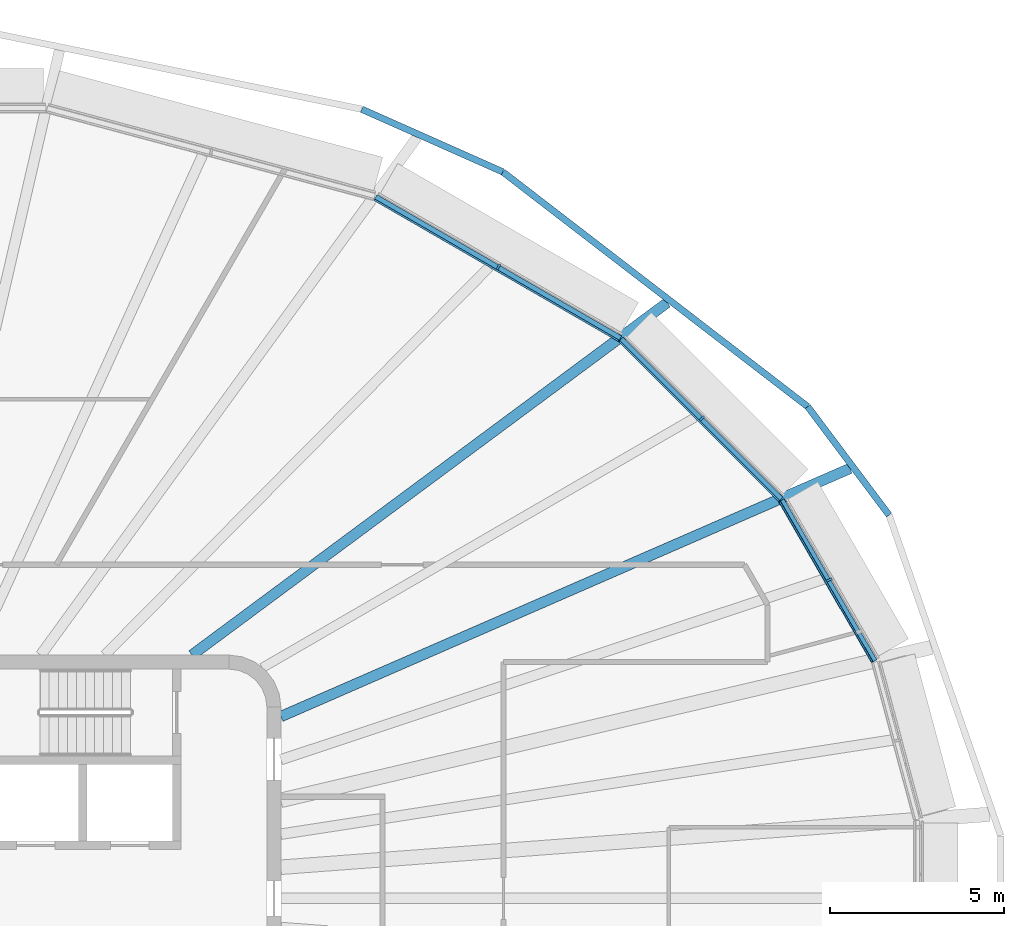
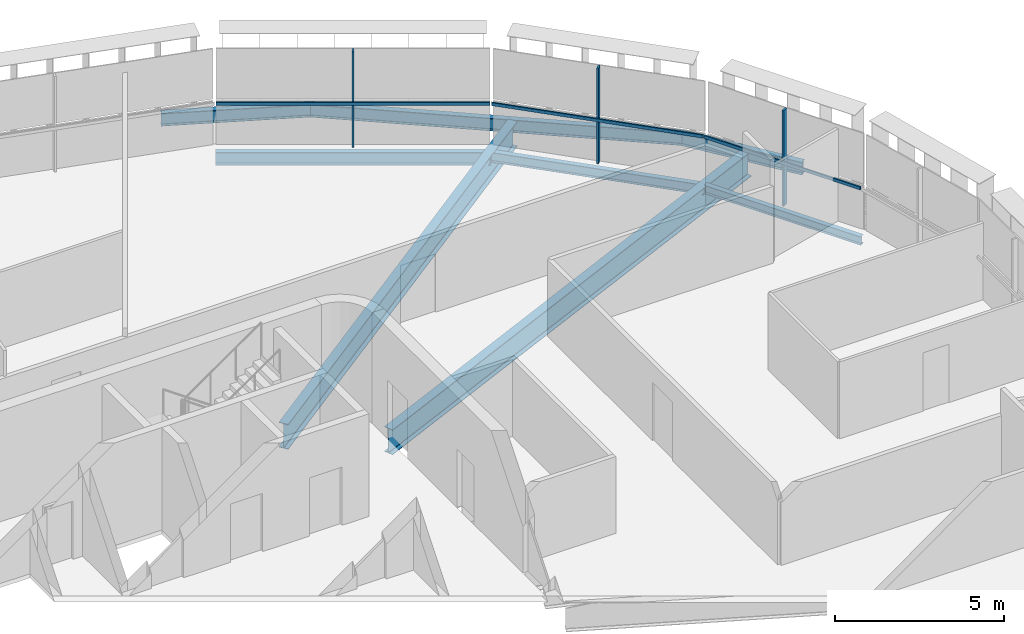
# One storey, part 8 of 20: 8 beams, 6 members, 3 elements without a shape of their own.
"""IFC4 building model written with IfcOpenShell, lengths in metres."""

from ifc_helpers import new_model, si_unit, direction, frame, origin, origin_2d, place, context, subcontext, project, spatial, rectangle, i_section, extrude, material, layer, layer_set, material_profile, profile_set, type_object, element, aggregate, save


model = new_model("IFC4")

# Units and contexts
model_context = context("Model", 3, precision=1e-05, world=origin(), true_north=direction((0.0, 1.0)))
body_context = subcontext(model_context, "Body", "Model", "MODEL_VIEW")
ifc_project = project(units=[si_unit("LENGTHUNIT", "METRE"), si_unit("AREAUNIT", "SQUARE_METRE"), si_unit("VOLUMEUNIT", "CUBIC_METRE"), si_unit("PLANEANGLEUNIT", "RADIAN"), si_unit("MASSUNIT", "GRAM", prefix="KILO")], contexts=[model_context])

# Site, building, storey
site_placement = place(None, origin())
site = spatial("IfcSite", under=ifc_project, at=site_placement, CompositionType="ELEMENT")
building_placement = place(site_placement, origin())
building = spatial("IfcBuilding", under=site, at=building_placement, Name="Sahrelin Media Tower", CompositionType="ELEMENT")
storey_placement = place(building_placement, frame((0.0, 0.0, 245.60009765625)))
storey = spatial("IfcBuildingStorey", under=building, at=storey_placement, Name="L53", CompositionType="ELEMENT", Elevation=245.60009765625)

# Beams
ifc_material_1 = material(Name="Steel S355", Category="steel")
ifc_material_profile_1 = material_profile(ifc_material_1, i_section(OverallWidth=0.1650390625, OverallDepth=0.303466796875, WebThickness=0.006103515625, FlangeThickness=0.01025390625, FilletRadius=0.0087890625, at=origin_2d()), Name="UB 305x165x40")
ifc_profile_set_1 = profile_set([ifc_material_profile_1], Name="Steel S355")
beam_type_1 = type_object("IfcBeamType", Name="Edge beam EB2", PredefinedType="BEAM", material=ifc_profile_set_1)
beam_1_placement = place(storey_placement, frame((26.399169921875, 11.453369140625, -0.3017578125), z_axis=(0.500034814518, -0.86600530268, 0.0), x_axis=(0.86600530268, 0.500034814518, 0.0)))
element("IfcBeam", 1, at=beam_1_placement, inside=storey, type_object=beam_type_1, Name="Edge beam L53-23", PredefinedType="BEAM", context=body_context, shape_type="SweptSolid", body=[
    extrude(i_section(OverallWidth=0.1650390625, OverallDepth=0.303466796875, WebThickness=0.006103515625, FlangeThickness=0.01025390625, FilletRadius=0.0087890625, at=origin_2d()), origin(), (0.0, 0.0, 1.0), 5.3447265625),
])
ifc_material_profile_2 = material_profile(ifc_material_1, i_section(OverallWidth=0.17138671875, OverallDepth=0.35498046875, WebThickness=0.00732421875, FlangeThickness=0.011474609375, FilletRadius=0.01025390625, at=origin_2d()), Name="UB 356x171x51")
ifc_profile_set_2 = profile_set([ifc_material_profile_2], Name="Steel S355")
beam_type_2 = type_object("IfcBeamType", Name="Edge beam EB3", PredefinedType="BEAM", material=ifc_profile_set_2)
beam_2_placement = place(storey_placement, frame((21.779296875, 16.07861328125, -0.32763671875), z_axis=(0.707106781187, -0.707106781187, 0.0), x_axis=(0.707106781187, 0.707106781187, 0.0)))
element("IfcBeam", 2, at=beam_2_placement, inside=storey, type_object=beam_type_2, Name="Edge beam L53-22", PredefinedType="BEAM", context=body_context, shape_type="SweptSolid", body=[
    extrude(i_section(OverallWidth=0.17138671875, OverallDepth=0.35498046875, WebThickness=0.00732421875, FlangeThickness=0.011474609375, FilletRadius=0.01025390625, at=origin_2d()), origin(), (0.0, 0.0, 1.0), 6.508544921875),
])
ifc_material_profile_3 = material_profile(ifc_material_1, i_section(OverallWidth=0.1904296875, OverallDepth=0.45703125, WebThickness=0.009033203125, FlangeThickness=0.014404296875, FilletRadius=0.01025390625, at=origin_2d()), Name="UB 457x191x74")
ifc_profile_set_3 = profile_set([ifc_material_profile_3], Name="Steel S355")
beam_type_3 = type_object("IfcBeamType", Name="Edge beam EB5", PredefinedType="BEAM", material=ifc_profile_set_3)
beam_3_placement = place(storey_placement, frame((14.716796875, 20.160400390625, -0.378662109375), z_axis=(0.866024038412, -0.500002364886, 0.0), x_axis=(0.500002364886, 0.866024038412, 0.0)))
element("IfcBeam", 3, at=beam_3_placement, inside=storey, type_object=beam_type_3, Name="Edge beam L53-21", PredefinedType="BEAM", context=body_context, shape_type="SweptSolid", body=[
    extrude(i_section(OverallWidth=0.1904296875, OverallDepth=0.45703125, WebThickness=0.009033203125, FlangeThickness=0.014404296875, FilletRadius=0.01025390625, at=origin_2d()), origin(), (0.0, 0.0, 1.0), 8.12890625),
])

# Curtain wall, member
ifc_material_2 = material(Name="Champagne anodised aluminium 6063-T6", Category="aluminium")
ifc_layer = layer(ifc_material_2, 0.14990234375)
ifc_layer_set = layer_set([ifc_layer], Name="Tower ribbon curtain wall")
curtain_wall_type = type_object("IfcCurtainWallType", Name="Tower ribbon curtain wall", PredefinedType="NOTDEFINED", material=ifc_layer_set)
curtain_wall_1_placement = place(storey_placement, frame((27.865234375, 9.214111328125, 0.0), z_axis=(0.0, 0.0, 1.0), x_axis=(1.0, 0.0, 0.0)))
curtain_wall_1 = element("IfcCurtainWall", 4, at=curtain_wall_1_placement, inside=storey, type_object=curtain_wall_type, Name="L53:CW:L53-02", PredefinedType="NOTDEFINED")
ifc_material_profile_4 = material_profile(ifc_material_2, rectangle(XDim=0.06005859375, YDim=0.175048828125, at=origin_2d()), Name="Mullion 60x175")
ifc_profile_set_4 = profile_set([ifc_material_profile_4], Name="Champagne anodised aluminium 6063-T6")
member_type_1 = type_object("IfcMemberType", Name="Mullion 60x175 CW1B", PredefinedType="MULLION", material=ifc_profile_set_4)
member_1_placement = place(storey_placement, frame((27.772216796875, 9.16015625, 0.0), z_axis=(0.0, 0.0, 1.0), x_axis=(-0.500009068969, 0.866020167749, 0.0)))
member_1 = element("IfcMember", 5, at=member_1_placement, type_object=member_type_1, Name="L53:CWM:L53-02", PredefinedType="MULLION", context=body_context, shape_type="SweptSolid", body=[
    extrude(rectangle(XDim=0.06005859375, YDim=0.175048828125, at=origin_2d()), origin(), (0.0, 0.0, 1.0), 3.448486328125),
])

curtain_wall_2_placement = place(storey_placement, frame((24.1865234375, 13.88330078125, 0.0), z_axis=(0.0, 0.0, 1.0), x_axis=(1.0, 0.0, 0.0)))
curtain_wall_2 = element("IfcCurtainWall", 6, at=curtain_wall_2_placement, inside=storey, type_object=curtain_wall_type, Name="L53:CW:L53-03", PredefinedType="NOTDEFINED")
member_2_placement = place(storey_placement, frame((24.110595703125, 13.807373046875, 0.0), z_axis=(0.0, 0.0, 1.0), x_axis=(-0.707106781187, 0.707106781187, 0.0)))
member_2 = element("IfcMember", 7, at=member_2_placement, type_object=member_type_1, Name="L53:CWM:L53-03", PredefinedType="MULLION", context=body_context, shape_type="SweptSolid", body=[
    extrude(rectangle(XDim=0.06005859375, YDim=0.175048828125, at=origin_2d()), origin(), (0.0, 0.0, 1.0), 3.448486328125),
])

curtain_wall_3_placement = place(storey_placement, frame((18.3115234375, 18.25830078125, 0.0), z_axis=(0.0, 0.0, 1.0), x_axis=(1.0, 0.0, 0.0)))
curtain_wall_3 = element("IfcCurtainWall", 8, at=curtain_wall_3_placement, inside=storey, type_object=curtain_wall_type, Name="L53:CW:L53-04", PredefinedType="NOTDEFINED")
member_3_placement = place(storey_placement, frame((18.2578125, 18.1650390625, 0.0), z_axis=(0.0, 0.0, 1.0), x_axis=(-0.866027149108, 0.499996976998, 0.0)))
member_3 = element("IfcMember", 9, at=member_3_placement, type_object=member_type_1, Name="L53:CWM:L53-04", PredefinedType="MULLION", context=body_context, shape_type="SweptSolid", body=[
    extrude(rectangle(XDim=0.06005859375, YDim=0.175048828125, at=origin_2d()), origin(), (0.0, 0.0, 1.0), 3.448486328125),
])

# Beams
ifc_material_profile_5 = material_profile(ifc_material_1, i_section(OverallWidth=0.30322265625, OverallDepth=0.903076171875, WebThickness=0.01513671875, FlangeThickness=0.020263671875, FilletRadius=0.01904296875, at=origin_2d()), Name="UB 914x305x201")
ifc_profile_set_5 = profile_set([ifc_material_profile_5], Name="Steel S355")
beam_type_4 = type_object("IfcBeamType", Name="Radial primary beam PB11", PredefinedType="BEAM", material=ifc_profile_set_5)
beam_4_placement = place(storey_placement, frame((12.0, 5.2314453125, -0.6015625), z_axis=(0.916673104174, 0.399637861174, 0.0), x_axis=(-0.399637861174, 0.916673104174, 0.0)))
element("IfcBeam", 10, at=beam_4_placement, inside=storey, type_object=beam_type_4, Name="Radial beam L53-03", PredefinedType="BEAM", context=body_context, shape_type="SweptSolid", body=[
    extrude(i_section(OverallWidth=0.30322265625, OverallDepth=0.903076171875, WebThickness=0.01513671875, FlangeThickness=0.020263671875, FilletRadius=0.01904296875, at=origin_2d()), origin(), (0.0, 0.0, 1.0), 17.85546875),
])
beam_5_placement = place(storey_placement, frame((9.441162109375, 7.0, -0.6015625), z_axis=(0.803287986213, 0.59559080853, 0.0), x_axis=(-0.59559080853, 0.803287986213, 0.0)))
element("IfcBeam", 11, at=beam_5_placement, inside=storey, type_object=beam_type_4, Name="Radial beam L53-04", PredefinedType="BEAM", context=body_context, shape_type="SweptSolid", body=[
    extrude(i_section(OverallWidth=0.30322265625, OverallDepth=0.903076171875, WebThickness=0.01513671875, FlangeThickness=0.020263671875, FilletRadius=0.01904296875, at=origin_2d()), origin(), (0.0, 0.0, 1.0), 17.018310546875),
])
ifc_material_profile_6 = material_profile(ifc_material_1, i_section(OverallWidth=0.1904296875, OverallDepth=0.45703125, WebThickness=0.009033203125, FlangeThickness=0.014404296875, FilletRadius=0.01025390625, at=origin_2d()), Name="UB 457x191x74")
ifc_profile_set_6 = profile_set([ifc_material_profile_6], Name="Steel S355")
beam_type_5 = type_object("IfcBeamType", Name="Tie chord TC5", PredefinedType="BEAM", material=ifc_profile_set_6)
beam_6_placement = place(storey_placement, frame((29.49267578125, 11.02587890625, -0.378662109375), z_axis=(-0.600080116168, 0.799939906605, 0.0), x_axis=(-0.799939906605, -0.600080116168, 0.0)))
element("IfcBeam", 12, at=beam_6_placement, inside=storey, type_object=beam_type_5, Name="Tie chord L53-02", PredefinedType="BEAM", context=body_context, shape_type="SweptSolid", body=[
    extrude(i_section(OverallWidth=0.1904296875, OverallDepth=0.45703125, WebThickness=0.009033203125, FlangeThickness=0.014404296875, FilletRadius=0.01025390625, at=origin_2d()), origin(), (0.0, 0.0, 1.0), 3.900390625),
])
beam_7_placement = place(storey_placement, frame((27.152099609375, 14.14599609375, -0.378662109375), z_axis=(-0.792435403272, 0.60995584401, 0.0), x_axis=(-0.60995584401, -0.792435403272, 0.0)))
element("IfcBeam", 13, at=beam_7_placement, inside=storey, type_object=beam_type_5, Name="Tie chord L53-03", PredefinedType="BEAM", context=body_context, shape_type="SweptSolid", body=[
    extrude(i_section(OverallWidth=0.1904296875, OverallDepth=0.45703125, WebThickness=0.009033203125, FlangeThickness=0.014404296875, FilletRadius=0.01025390625, at=origin_2d()), origin(), (0.0, 0.0, 1.0), 11.0712890625),
])
beam_8_placement = place(storey_placement, frame((18.37890625, 20.89892578125, -0.378662109375), z_axis=(-0.913822895956, 0.406112933586, 0.0), x_axis=(-0.406112933586, -0.913822895956, 0.0)))
element("IfcBeam", 14, at=beam_8_placement, inside=storey, type_object=beam_type_5, Name="Tie chord L53-04", PredefinedType="BEAM", context=body_context, shape_type="SweptSolid", body=[
    extrude(i_section(OverallWidth=0.1904296875, OverallDepth=0.45703125, WebThickness=0.009033203125, FlangeThickness=0.014404296875, FilletRadius=0.01025390625, at=origin_2d()), origin(), (0.0, 0.0, 1.0), 4.43603515625),
])

# Member
ifc_material_profile_7 = material_profile(ifc_material_2, rectangle(XDim=0.050048828125, YDim=0.110107421875, at=origin_2d()), Name="Transom 50x110")
ifc_profile_set_7 = profile_set([ifc_material_profile_7], Name="Champagne anodised aluminium 6063-T6")
member_type_2 = type_object("IfcMemberType", Name="Transom 50x110 CW1B", PredefinedType="USERDEFINED", material=ifc_profile_set_7)
member_4_placement = place(storey_placement, frame((29.003173828125, 6.80322265625, 1.599853515625), z_axis=(-0.500003519352, 0.866023371876, 0.0), x_axis=(-0.866023371876, -0.500003519352, 0.0)))
member_4 = element("IfcMember", 15, at=member_4_placement, type_object=member_type_2, Name="L53:CWT:L53-02", ObjectType="TRANSOM", PredefinedType="USERDEFINED", context=body_context, shape_type="SweptSolid", body=[
    extrude(rectangle(XDim=0.050048828125, YDim=0.110107421875, at=origin_2d()), origin(), (0.0, 0.0, 1.0), 5.3134765625),
])

aggregate(curtain_wall_1, [member_1, member_4])

member_5_placement = place(storey_placement, frame((26.321044921875, 11.43798828125, 1.599853515625), z_axis=(-0.707125627567, 0.707087934304, 0.0), x_axis=(-0.707087934304, -0.707125627567, 0.0)))
member_5 = element("IfcMember", 16, at=member_5_placement, type_object=member_type_2, Name="L53:CWT:L53-03", ObjectType="TRANSOM", PredefinedType="USERDEFINED", context=body_context, shape_type="SweptSolid", body=[
    extrude(rectangle(XDim=0.050048828125, YDim=0.110107421875, at=origin_2d()), origin(), (0.0, 0.0, 1.0), 6.47705078125),
])

aggregate(curtain_wall_2, [member_2, member_5])

member_6_placement = place(storey_placement, frame((21.7080078125, 16.043212890625, 1.599853515625), z_axis=(-0.866022911947, 0.500004315964, 0.0), x_axis=(-0.500004315964, -0.866022911947, 0.0)))
member_6 = element("IfcMember", 17, at=member_6_placement, type_object=member_type_2, Name="L53:CWT:L53-04", ObjectType="TRANSOM", PredefinedType="USERDEFINED", context=body_context, shape_type="SweptSolid", body=[
    extrude(rectangle(XDim=0.050048828125, YDim=0.110107421875, at=origin_2d()), origin(), (0.0, 0.0, 1.0), 8.09765625),
])

aggregate(curtain_wall_3, [member_3, member_6])

save(model, "model.ifc")
